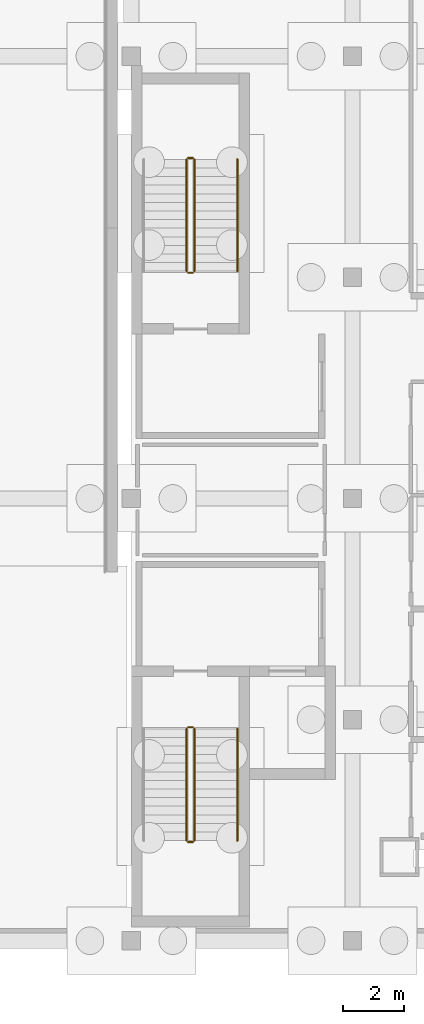
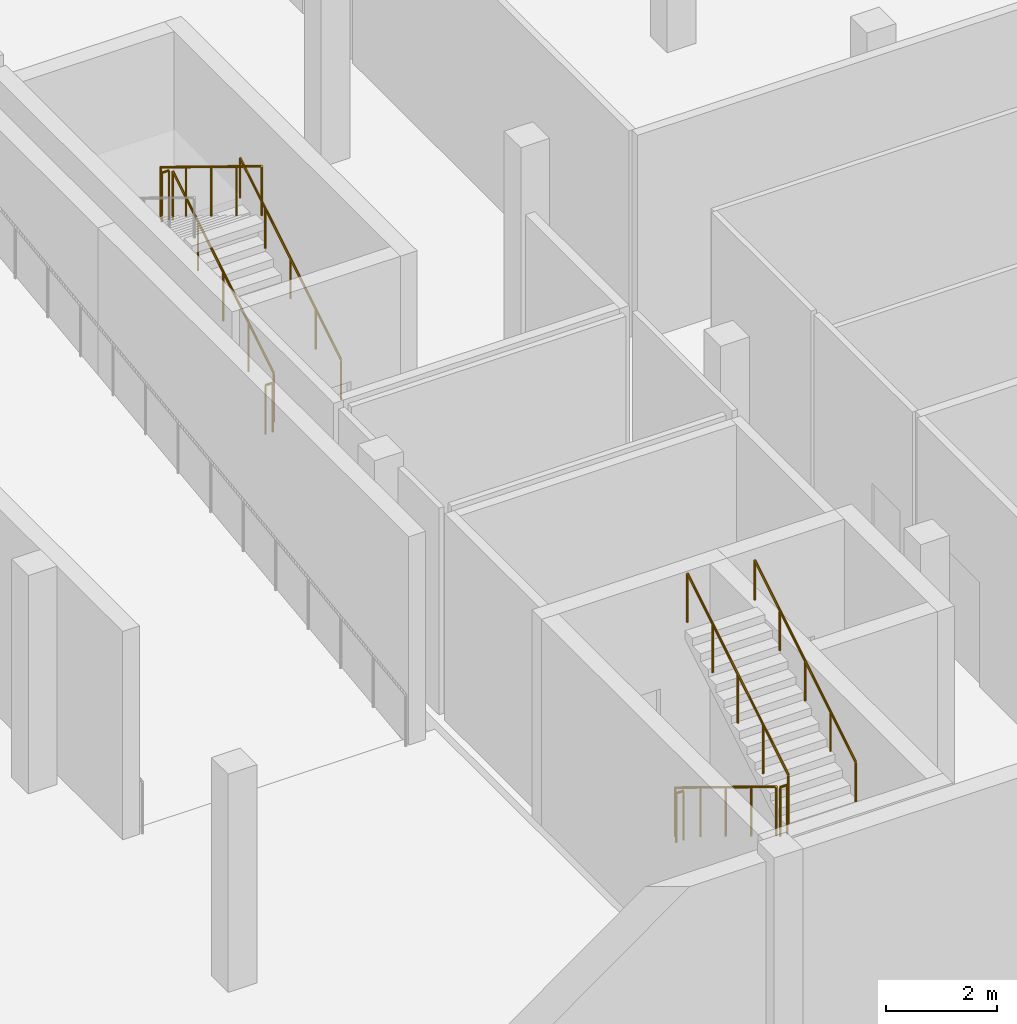
# One storey, part 32 of 35: 10 railings.
"""IFC4 building model written with IfcOpenShell, lengths in metres."""

from ifc_helpers import new_model, si_unit, direction, frame, origin, origin_2d, place, context, subcontext, project, spatial, circle, extrude, material, layer, layer_set, type_object, element, save


model = new_model("IFC4")

# Units and contexts
model_context = context("Model", 3, precision=1e-05, world=origin(), true_north=direction((0.0, 1.0)))
body_context = subcontext(model_context, "Body", "Model", "MODEL_VIEW")
ifc_project = project(units=[si_unit("LENGTHUNIT", "METRE"), si_unit("AREAUNIT", "SQUARE_METRE"), si_unit("VOLUMEUNIT", "CUBIC_METRE"), si_unit("PLANEANGLEUNIT", "RADIAN"), si_unit("MASSUNIT", "GRAM", prefix="KILO")], contexts=[model_context])

# Site, building, storey
site_placement = place(None, origin())
site = spatial("IfcSite", under=ifc_project, at=site_placement, CompositionType="ELEMENT")
building_placement = place(site_placement, origin())
building = spatial("IfcBuilding", under=site, at=building_placement, Name="Zarrinpeak Specialist Clinic", CompositionType="ELEMENT")
storey_placement = place(building_placement, frame((0.0, 0.0, -4.800048828125)))
storey = spatial("IfcBuildingStorey", under=building, at=storey_placement, Name="B01", CompositionType="ELEMENT", Elevation=-4.800048828125)

# Railings
ifc_material_1 = material(Name="Laminated Safety Glass and Stainless Steel 316", Category="steel")
ifc_layer_1 = layer(ifc_material_1, 0.06005859375)
ifc_layer_set_1 = layer_set([ifc_layer_1], Name="Laminated Safety Glass and Stainless Steel 316")
railing_type_1 = type_object("IfcRailingType", Name="RL-GRD115", PredefinedType="GUARDRAIL", material=ifc_layer_set_1)
railing_1_placement = place(storey_placement, frame((95.39990234375, 35.699951171875, 0.17138671875)))
element("IfcRailing", 1, at=railing_1_placement, inside=storey, type_object=railing_type_1, Name="B01 ST-05 stair guard 1", PredefinedType="GUARDRAIL", context=body_context, shape_type="SweptSolid", body=[
    extrude(circle(Radius=0.02392578125, at=origin_2d()), frame((0.0, 0.0, 1.076171875), z_axis=(0.0, -0.852824790078, 0.522197163366), x_axis=(1.0, 0.0, 0.0)), (0.0, 0.0, 1.0), 4.26806640625),
    extrude(circle(Radius=0.02099609375, at=origin_2d()), origin(), (0.0, 0.0, 1.0), 1.052001953125),
    extrude(circle(Radius=0.02099609375, at=origin_2d()), frame((0.0, -0.909912109375, 0.55712890625)), (0.0, 0.0, 1.0), 1.052001953125),
    extrude(circle(Radius=0.02099609375, at=origin_2d()), frame((0.0, -1.81982421875, 1.1142578125)), (0.0, 0.0, 1.0), 1.052001953125),
    extrude(circle(Radius=0.02099609375, at=origin_2d()), frame((0.0, -2.72998046875, 1.671630859375)), (0.0, 0.0, 1.0), 1.052001953125),
    extrude(circle(Radius=0.02099609375, at=origin_2d()), frame((0.0, -3.639892578125, 2.228759765625)), (0.0, 0.0, 1.0), 1.052001953125),
])
railing_2_placement = place(storey_placement, frame((95.449951171875, 32.010009765625, 2.400146484375)))
element("IfcRailing", 2, at=railing_2_placement, inside=storey, type_object=railing_type_1, Name="B01 ST-05 stair guard 2", PredefinedType="GUARDRAIL", context=body_context, shape_type="SweptSolid", body=[
    extrude(circle(Radius=0.02392578125, at=origin_2d()), frame((0.0, 0.0, 1.076171875), z_axis=(1.0, 0.0, 0.0), x_axis=(0.0, 1.0, 0.0)), (0.0, 0.0, 1.0), 0.150146484375),
    extrude(circle(Radius=0.02099609375, at=origin_2d()), origin(), (0.0, 0.0, 1.0), 1.052001953125),
    extrude(circle(Radius=0.02099609375, at=origin_2d()), frame((0.150146484375, 0.0, 0.0)), (0.0, 0.0, 1.0), 1.052001953125),
])
railing_3_placement = place(storey_placement, frame((95.64990234375, 32.06005859375, 2.571533203125)))
element("IfcRailing", 3, at=railing_3_placement, inside=storey, type_object=railing_type_1, Name="B01 ST-05 stair guard 3", PredefinedType="GUARDRAIL", context=body_context, shape_type="SweptSolid", body=[
    extrude(circle(Radius=0.02392578125, at=origin_2d()), frame((0.0, 0.0, 1.076171875), z_axis=(0.0, 0.852850264322, 0.5221555579), x_axis=(-1.0, 0.0, 0.0)), (0.0, 0.0, 1.0), 4.267822265625),
    extrude(circle(Radius=0.02099609375, at=origin_2d()), origin(), (0.0, 0.0, 1.0), 1.052001953125),
    extrude(circle(Radius=0.02099609375, at=origin_2d()), frame((0.0, 0.909912109375, 0.55712890625)), (0.0, 0.0, 1.0), 1.052001953125),
    extrude(circle(Radius=0.02099609375, at=origin_2d()), frame((0.0, 1.81982421875, 1.1142578125)), (0.0, 0.0, 1.0), 1.052001953125),
    extrude(circle(Radius=0.02099609375, at=origin_2d()), frame((0.0, 2.72998046875, 1.67138671875)), (0.0, 0.0, 1.0), 1.052001953125),
    extrude(circle(Radius=0.02099609375, at=origin_2d()), frame((0.0, 3.639892578125, 2.228515625)), (0.0, 0.0, 1.0), 1.052001953125),
])
railing_4_placement = place(storey_placement, frame((95.449951171875, 35.75, 0.0)))
element("IfcRailing", 4, at=railing_4_placement, inside=storey, type_object=railing_type_1, Name="B01 ST-05 stair guard 4", PredefinedType="GUARDRAIL", context=body_context, shape_type="SweptSolid", body=[
    extrude(circle(Radius=0.02392578125, at=origin_2d()), frame((0.0, 0.0, 1.076171875), z_axis=(1.0, 0.0, 0.0), x_axis=(0.0, 1.0, 0.0)), (0.0, 0.0, 1.0), 0.150146484375),
    extrude(circle(Radius=0.02099609375, at=origin_2d()), origin(), (0.0, 0.0, 1.0), 1.052001953125),
    extrude(circle(Radius=0.02099609375, at=origin_2d()), frame((0.150146484375, 0.0, 0.0)), (0.0, 0.0, 1.0), 1.052001953125),
])
railing_5_placement = place(storey_placement, frame((95.64990234375, 50.60009765625, 0.17138671875)))
element("IfcRailing", 5, at=railing_5_placement, inside=storey, type_object=railing_type_1, Name="B01 ST-06 stair guard 1", PredefinedType="GUARDRAIL", context=body_context, shape_type="SweptSolid", body=[
    extrude(circle(Radius=0.02392578125, at=origin_2d()), frame((0.0, 0.0, 1.076171875), z_axis=(0.0, 0.852824790078, 0.522197163366), x_axis=(-1.0, 0.0, 0.0)), (0.0, 0.0, 1.0), 4.26806640625),
    extrude(circle(Radius=0.02099609375, at=origin_2d()), origin(), (0.0, 0.0, 1.0), 1.052001953125),
    extrude(circle(Radius=0.02099609375, at=origin_2d()), frame((0.0, 0.909912109375, 0.55712890625)), (0.0, 0.0, 1.0), 1.052001953125),
    extrude(circle(Radius=0.02099609375, at=origin_2d()), frame((0.0, 1.81982421875, 1.1142578125)), (0.0, 0.0, 1.0), 1.052001953125),
    extrude(circle(Radius=0.02099609375, at=origin_2d()), frame((0.0, 2.72998046875, 1.671630859375)), (0.0, 0.0, 1.0), 1.052001953125),
    extrude(circle(Radius=0.02099609375, at=origin_2d()), frame((0.0, 3.639892578125, 2.228759765625)), (0.0, 0.0, 1.0), 1.052001953125),
])
railing_6_placement = place(storey_placement, frame((95.60009765625, 54.2900390625, 2.400146484375)))
element("IfcRailing", 6, at=railing_6_placement, inside=storey, type_object=railing_type_1, Name="B01 ST-06 stair guard 2", PredefinedType="GUARDRAIL", context=body_context, shape_type="SweptSolid", body=[
    extrude(circle(Radius=0.02392578125, at=origin_2d()), frame((0.0, 0.0, 1.076171875), z_axis=(-1.0, 0.0, 0.0), x_axis=(0.0, -1.0, 0.0)), (0.0, 0.0, 1.0), 0.150146484375),
    extrude(circle(Radius=0.02099609375, at=origin_2d()), origin(), (0.0, 0.0, 1.0), 1.052001953125),
    extrude(circle(Radius=0.02099609375, at=origin_2d()), frame((-0.150146484375, 0.0, 0.0)), (0.0, 0.0, 1.0), 1.052001953125),
])
railing_7_placement = place(storey_placement, frame((95.39990234375, 54.239990234375, 2.571533203125)))
element("IfcRailing", 7, at=railing_7_placement, inside=storey, type_object=railing_type_1, Name="B01 ST-06 stair guard 3", PredefinedType="GUARDRAIL", context=body_context, shape_type="SweptSolid", body=[
    extrude(circle(Radius=0.02392578125, at=origin_2d()), frame((0.0, 0.0, 1.076171875), z_axis=(0.0, -0.852850264322, 0.5221555579), x_axis=(1.0, 0.0, 0.0)), (0.0, 0.0, 1.0), 4.267822265625),
    extrude(circle(Radius=0.02099609375, at=origin_2d()), origin(), (0.0, 0.0, 1.0), 1.052001953125),
    extrude(circle(Radius=0.02099609375, at=origin_2d()), frame((0.0, -0.909912109375, 0.55712890625)), (0.0, 0.0, 1.0), 1.052001953125),
    extrude(circle(Radius=0.02099609375, at=origin_2d()), frame((0.0, -1.81982421875, 1.1142578125)), (0.0, 0.0, 1.0), 1.052001953125),
    extrude(circle(Radius=0.02099609375, at=origin_2d()), frame((0.0, -2.72998046875, 1.67138671875)), (0.0, 0.0, 1.0), 1.052001953125),
    extrude(circle(Radius=0.02099609375, at=origin_2d()), frame((0.0, -3.639892578125, 2.228515625)), (0.0, 0.0, 1.0), 1.052001953125),
])
railing_8_placement = place(storey_placement, frame((95.60009765625, 50.550048828125, 0.0)))
element("IfcRailing", 8, at=railing_8_placement, inside=storey, type_object=railing_type_1, Name="B01 ST-06 stair guard 4", PredefinedType="GUARDRAIL", context=body_context, shape_type="SweptSolid", body=[
    extrude(circle(Radius=0.02392578125, at=origin_2d()), frame((0.0, 0.0, 1.076171875), z_axis=(-1.0, 0.0, 0.0), x_axis=(0.0, -1.0, 0.0)), (0.0, 0.0, 1.0), 0.150146484375),
    extrude(circle(Radius=0.02099609375, at=origin_2d()), origin(), (0.0, 0.0, 1.0), 1.052001953125),
    extrude(circle(Radius=0.02099609375, at=origin_2d()), frame((-0.150146484375, 0.0, 0.0)), (0.0, 0.0, 1.0), 1.052001953125),
])
ifc_material_2 = material(Name="Brushed Stainless Steel 316 Handrail", Category="steel")
ifc_layer_2 = layer(ifc_material_2, 0.050048828125)
ifc_layer_set_2 = layer_set([ifc_layer_2], Name="Brushed Stainless Steel 316 Handrail")
railing_type_2 = type_object("IfcRailingType", Name="RL-HND92", PredefinedType="HANDRAIL", material=ifc_layer_set_2)
railing_9_placement = place(storey_placement, frame((97.050048828125, 32.06005859375, 2.571533203125)))
element("IfcRailing", 9, at=railing_9_placement, inside=storey, type_object=railing_type_2, Name="B01 ST-05 stair handrail 2", PredefinedType="HANDRAIL", context=body_context, shape_type="SweptSolid", body=[
    extrude(circle(Radius=0.02392578125, at=origin_2d()), frame((0.0, 0.0, 0.8759765625), z_axis=(0.0, 0.852850264322, 0.5221555579), x_axis=(-1.0, 0.0, 0.0)), (0.0, 0.0, 1.0), 4.267822265625),
    extrude(circle(Radius=0.02099609375, at=origin_2d()), origin(), (0.0, 0.0, 1.0), 0.851806640625),
    extrude(circle(Radius=0.02099609375, at=origin_2d()), frame((0.0, 0.909912109375, 0.55712890625)), (0.0, 0.0, 1.0), 0.851806640625),
    extrude(circle(Radius=0.02099609375, at=origin_2d()), frame((0.0, 1.81982421875, 1.1142578125)), (0.0, 0.0, 1.0), 0.851806640625),
    extrude(circle(Radius=0.02099609375, at=origin_2d()), frame((0.0, 2.72998046875, 1.67138671875)), (0.0, 0.0, 1.0), 0.851806640625),
    extrude(circle(Radius=0.02099609375, at=origin_2d()), frame((0.0, 3.639892578125, 2.228515625)), (0.0, 0.0, 1.0), 0.851806640625),
])
railing_10_placement = place(storey_placement, frame((97.050048828125, 50.60009765625, 0.17138671875)))
element("IfcRailing", 10, at=railing_10_placement, inside=storey, type_object=railing_type_2, Name="B01 ST-06 stair handrail 1", PredefinedType="HANDRAIL", context=body_context, shape_type="SweptSolid", body=[
    extrude(circle(Radius=0.02392578125, at=origin_2d()), frame((0.0, 0.0, 0.8759765625), z_axis=(0.0, 0.852824790078, 0.522197163366), x_axis=(-1.0, 0.0, 0.0)), (0.0, 0.0, 1.0), 4.26806640625),
    extrude(circle(Radius=0.02099609375, at=origin_2d()), origin(), (0.0, 0.0, 1.0), 0.851806640625),
    extrude(circle(Radius=0.02099609375, at=origin_2d()), frame((0.0, 0.909912109375, 0.55712890625)), (0.0, 0.0, 1.0), 0.851806640625),
    extrude(circle(Radius=0.02099609375, at=origin_2d()), frame((0.0, 1.81982421875, 1.1142578125)), (0.0, 0.0, 1.0), 0.851806640625),
    extrude(circle(Radius=0.02099609375, at=origin_2d()), frame((0.0, 2.72998046875, 1.671630859375)), (0.0, 0.0, 1.0), 0.851806640625),
    extrude(circle(Radius=0.02099609375, at=origin_2d()), frame((0.0, 3.639892578125, 2.228759765625)), (0.0, 0.0, 1.0), 0.851806640625),
])

save(model, "model.ifc")
